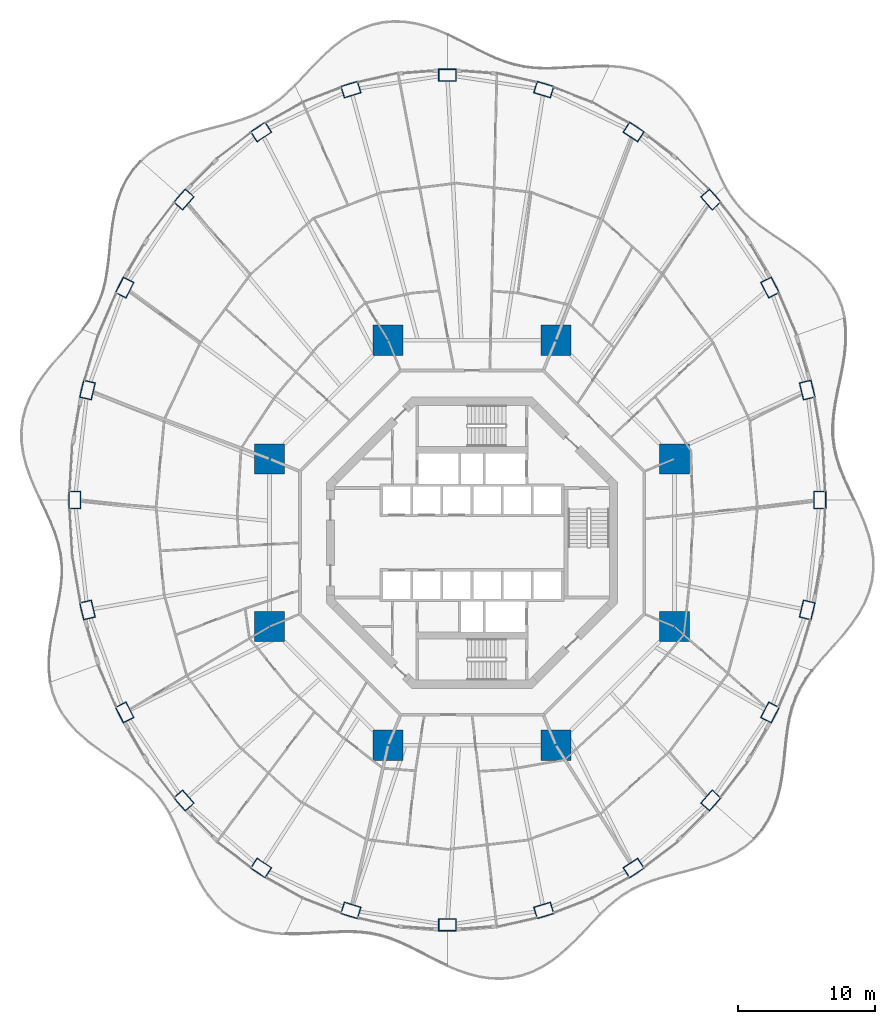
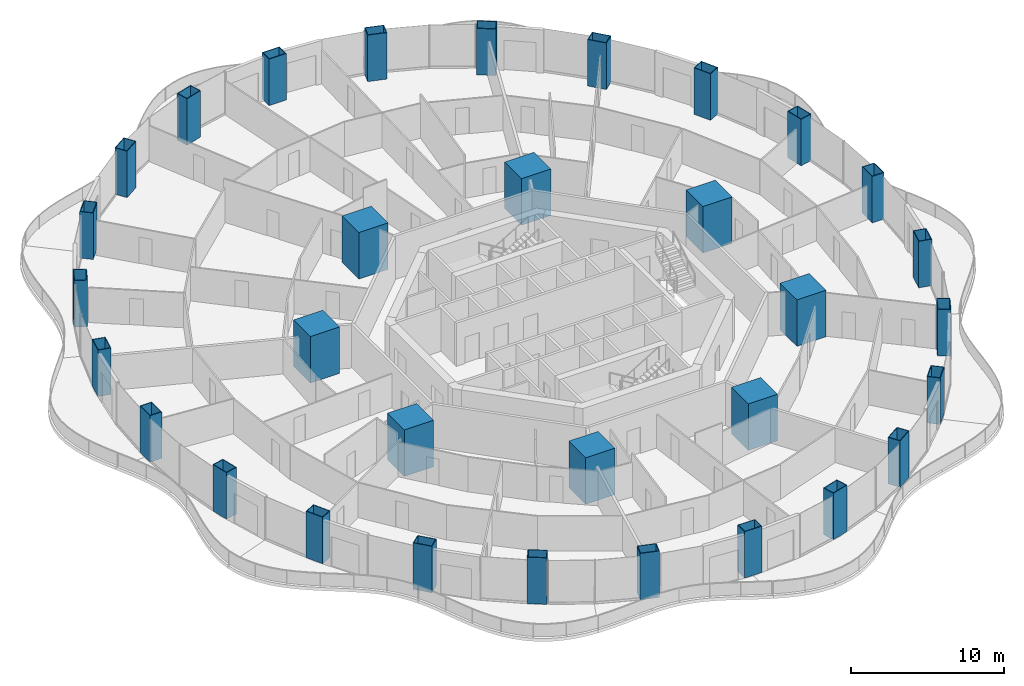
# One storey, part 1 of 22: 32 columns.
"""IFC4 building model written with IfcOpenShell, lengths in metres."""

from ifc_helpers import new_model, si_unit, direction, frame, origin, origin_2d, place, context, subcontext, project, spatial, rectangle, hollow_rectangle, extrude, material, material_profile, profile_set, type_object, element, save


model = new_model("IFC4")

# Units and contexts
model_context = context("Model", 3, precision=1e-05, world=origin(), true_north=direction((0.0, 1.0)))
body_context = subcontext(model_context, "Body", "Model", "MODEL_VIEW")
ifc_project = project(units=[si_unit("LENGTHUNIT", "METRE"), si_unit("AREAUNIT", "SQUARE_METRE"), si_unit("VOLUMEUNIT", "CUBIC_METRE"), si_unit("PLANEANGLEUNIT", "RADIAN"), si_unit("MASSUNIT", "GRAM", prefix="KILO")], contexts=[model_context])

# Site, building, storey
site_placement = place(None, origin())
site = spatial("IfcSite", under=ifc_project, at=site_placement, CompositionType="ELEMENT")
building_placement = place(site_placement, origin())
building = spatial("IfcBuilding", under=site, at=building_placement, Name="Nagisa Residences", CompositionType="ELEMENT")
storey_placement = place(building_placement, frame((0.0, 0.0, 106.60009765625)))
storey = spatial("IfcBuildingStorey", under=building, at=storey_placement, Name="L26", CompositionType="ELEMENT", Elevation=106.60009765625)

# Columns
ifc_material_1 = material(Name="Concrete C80", Category="concrete")
ifc_material_profile_1 = material_profile(ifc_material_1, rectangle(XDim=2.199951171875, YDim=2.199951171875, at=origin_2d()), Name="C80 2200x2200")
ifc_profile_set_1 = profile_set([ifc_material_profile_1], Name="Concrete C80")
column_type_1 = type_object("IfcColumnType", Name="Inner megacolumn C80 2200x2200", PredefinedType="COLUMN", material=ifc_profile_set_1)
for number, where, z_axis, x_axis, name in (
    (1, (14.781982421875, 6.123046875, 0.0), (0.0, 0.0, 1.0), (1.0, 0.0, 0.0), "col:L26:i1"),
    (2, (6.123046875, 14.781982421875, 0.0), (0.0, 0.0, 1.0), (1.0, 0.0, 0.0), "col:L26:i2"),
    (3, (-6.123046875, 14.781982421875, 0.0), (0.0, 0.0, 1.0), (1.0, 0.0, 0.0), "col:L26:i3"),
    (4, (-14.781982421875, 6.123046875, 0.0), (0.0, 0.0, 1.0), (1.0, 0.0, 0.0), "col:L26:i4"),
    (5, (-14.781982421875, -6.123046875, 0.0), (0.0, 0.0, 1.0), (1.0, 0.0, 0.0), "col:L26:i5"),
    (6, (-6.123046875, -14.781982421875, 0.0), (0.0, 0.0, 1.0), (1.0, 0.0, 0.0), "col:L26:i6"),
    (7, (6.123046875, -14.781982421875, 0.0), (0.0, 0.0, 1.0), (1.0, 0.0, 0.0), "col:L26:i7"),
    (8, (14.781982421875, -6.123046875, 0.0), (0.0, 0.0, 1.0), (1.0, 0.0, 0.0), "col:L26:i8"),
):
    element("IfcColumn", number, at=place(storey_placement, frame(where, z_axis=z_axis, x_axis=x_axis)), inside=storey, type_object=column_type_1, Name=name, PredefinedType="COLUMN", context=body_context, shape_type="SweptSolid", body=[
        extrude(rectangle(XDim=2.199951171875, YDim=2.199951171875, at=origin_2d()), origin(), (0.0, 0.0, 1.0), 3.699951171875),
    ])
ifc_material_2 = material(Name="Steel ASTM A572 Gr 50", Category="steel")
ifc_material_profile_2 = material_profile(ifc_material_2, hollow_rectangle(XDim=1.300048828125, YDim=0.89990234375, WallThickness=0.044921875, at=origin_2d()), Name="BX 1300x900x45")
ifc_profile_set_2 = profile_set([ifc_material_profile_2], Name="Steel ASTM A572 Gr 50")
column_type_2 = type_object("IfcColumnType", Name="Perimeter column BX 1300x900x45", PredefinedType="COLUMN", material=ifc_profile_set_2)
for number, where, z_axis, x_axis, name in (
    (9, (25.39501953125, 3.11767578125, 0.0), (0.0, 0.0, 1.0), (0.0, 1.0, 0.0), "col:L26:p00"),
    (10, (24.46826171875, 11.14501953125, 0.0), (0.0, 0.0, 1.0), (-0.229202013103, 0.973378876486, 0.0), "col:L26:p01"),
    (11, (21.75146484375, 18.625244140625, 0.0), (0.0, 0.0, 1.0), (-0.452462697578, 0.891783329795, 0.0), "col:L26:p02"),
    (12, (17.4296875, 25.048583984375, 0.0), (0.0, 0.0, 1.0), (-0.660114607735, 0.751164898445, 0.0), "col:L26:p03"),
    (13, (11.797607421875, 29.9775390625, 0.0), (0.0, 0.0, 1.0), (-0.835766105673, 0.54908561865, 0.0), "col:L26:p04"),
    (14, (5.238525390625, 33.075927734375, 0.0), (0.0, 0.0, 1.0), (-0.956524583408, 0.291651712384, 0.0), "col:L26:p05"),
    (15, (-1.800048828125, 34.1328125, 0.0), (0.0, 0.0, 1.0), (-1.0, 0.0, 0.0), "col:L26:p06"),
    (16, (-8.838623046875, 33.075927734375, 0.0), (0.0, 0.0, 1.0), (-0.956524583408, -0.291651712384, 0.0), "col:L26:p07"),
    (17, (-15.3974609375, 29.9775390625, 0.0), (0.0, 0.0, 1.0), (-0.835766105673, -0.54908561865, 0.0), "col:L26:p08"),
    (18, (-21.02978515625, 25.048583984375, 0.0), (0.0, 0.0, 1.0), (-0.660114607735, -0.751164898445, 0.0), "col:L26:p09"),
    (19, (-25.3515625, 18.625244140625, 0.0), (0.0, 0.0, 1.0), (-0.452462697578, -0.891783329795, 0.0), "col:L26:p10"),
    (20, (-28.068359375, 11.14501953125, 0.0), (0.0, 0.0, 1.0), (-0.229202013103, -0.973378876486, 0.0), "col:L26:p11"),
    (21, (-28.9951171875, 3.11767578125, 0.0), (0.0, 0.0, 1.0), (0.0, -1.0, 0.0), "col:L26:p12"),
    (22, (-28.068359375, -4.90966796875, 0.0), (0.0, 0.0, 1.0), (0.229202013103, -0.973378876486, 0.0), "col:L26:p13"),
    (23, (-25.3515625, -12.389892578125, 0.0), (0.0, 0.0, 1.0), (0.452462697578, -0.891783329795, 0.0), "col:L26:p14"),
    (24, (-21.02978515625, -18.813232421875, 0.0), (0.0, 0.0, 1.0), (0.660114607735, -0.751164898445, 0.0), "col:L26:p15"),
    (25, (-15.3974609375, -23.7421875, 0.0), (0.0, 0.0, 1.0), (0.835766105673, -0.54908561865, 0.0), "col:L26:p16"),
    (26, (-8.838623046875, -26.840576171875, 0.0), (0.0, 0.0, 1.0), (0.956524583408, -0.291651712384, 0.0), "col:L26:p17"),
    (27, (-1.800048828125, -27.897216796875, 0.0), (0.0, 0.0, 1.0), (1.0, 0.0, 0.0), "col:L26:p18"),
    (28, (5.238525390625, -26.840576171875, 0.0), (0.0, 0.0, 1.0), (0.956524583408, 0.291651712384, 0.0), "col:L26:p19"),
    (29, (11.797607421875, -23.7421875, 0.0), (0.0, 0.0, 1.0), (0.835766105673, 0.54908561865, 0.0), "col:L26:p20"),
    (30, (17.4296875, -18.813232421875, 0.0), (0.0, 0.0, 1.0), (0.660114607735, 0.751164898445, 0.0), "col:L26:p21"),
    (31, (21.75146484375, -12.389892578125, 0.0), (0.0, 0.0, 1.0), (0.452462697578, 0.891783329795, 0.0), "col:L26:p22"),
    (32, (24.46826171875, -4.90966796875, 0.0), (0.0, 0.0, 1.0), (0.229202013103, 0.973378876486, 0.0), "col:L26:p23"),
):
    element("IfcColumn", number, at=place(storey_placement, frame(where, z_axis=z_axis, x_axis=x_axis)), inside=storey, type_object=column_type_2, Name=name, PredefinedType="COLUMN", context=body_context, shape_type="SweptSolid", body=[
        extrude(hollow_rectangle(XDim=1.300048828125, YDim=0.89990234375, WallThickness=0.044921875, at=origin_2d()), origin(), (0.0, 0.0, 1.0), 3.699951171875),
    ])

save(model, "model.ifc")
